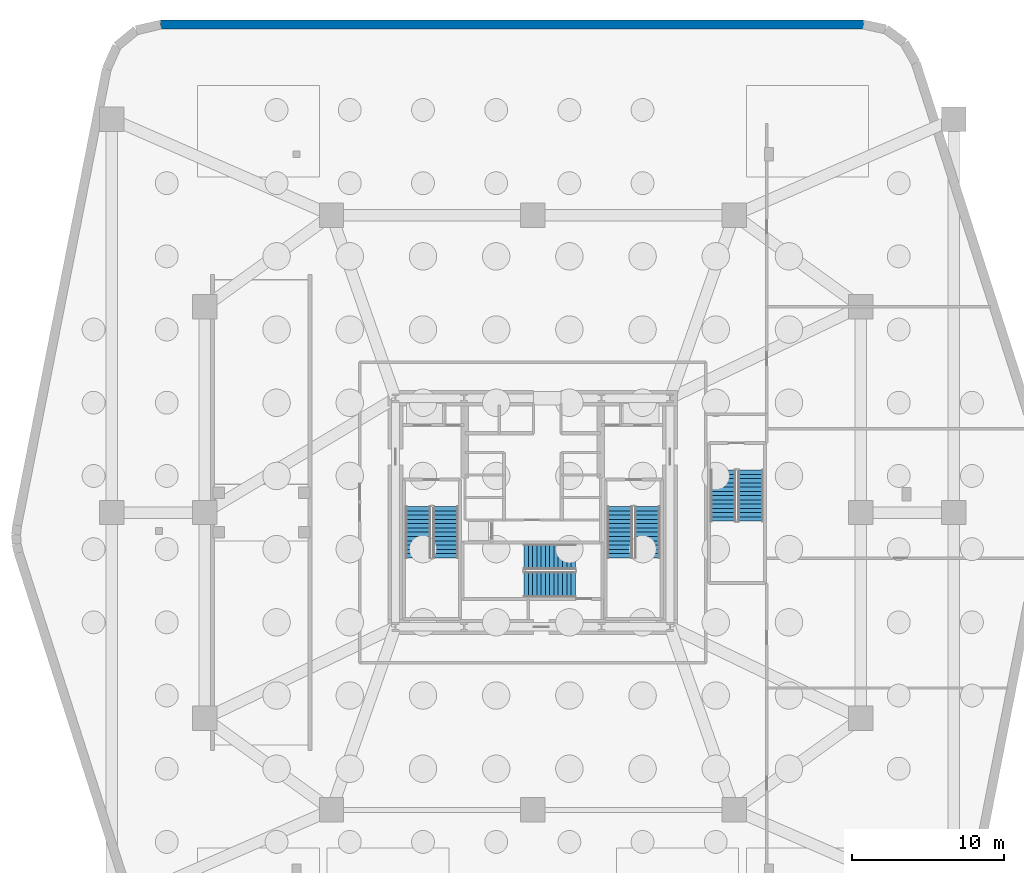
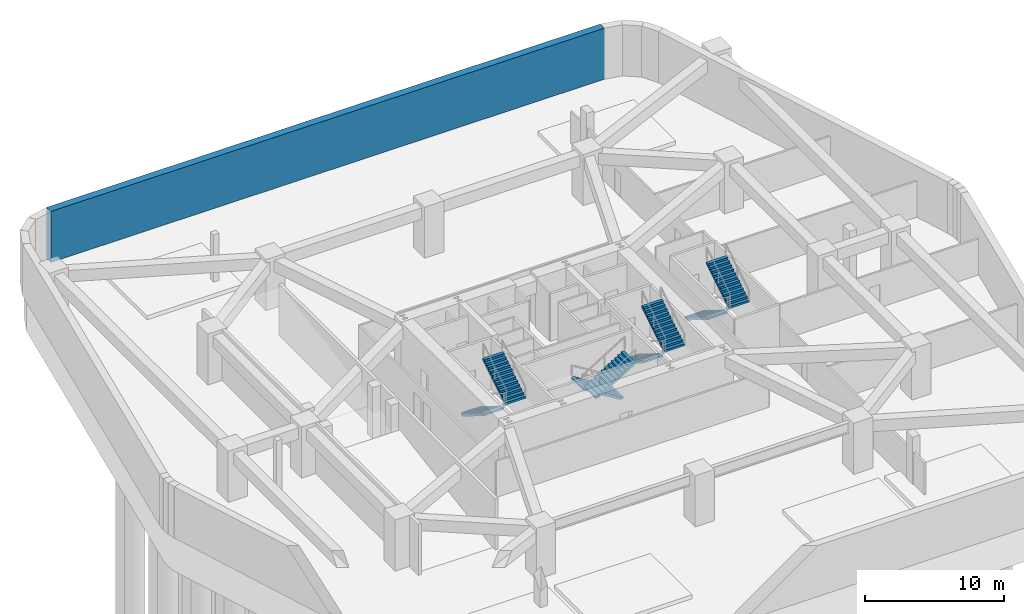
# One storey, part 6 of 8: 8 stair flights, 1 wall, 4 elements without a shape of their own.
"""IFC4 building model written with IfcOpenShell, lengths in metres."""

from ifc_helpers import new_model, si_unit, direction, frame, frame_2d, origin, place, context, subcontext, project, spatial, polyline, rectangle, outline, extrude, material, layer, layer_set, type_object, element, aggregate, save


model = new_model("IFC4")

# Units and contexts
model_context = context("Model", 3, precision=1e-05, world=origin(), true_north=direction((0.0, 1.0)))
body_context = subcontext(model_context, "Body", "Model", "MODEL_VIEW")
ifc_project = project(units=[si_unit("LENGTHUNIT", "METRE"), si_unit("AREAUNIT", "SQUARE_METRE"), si_unit("VOLUMEUNIT", "CUBIC_METRE"), si_unit("PLANEANGLEUNIT", "RADIAN"), si_unit("MASSUNIT", "GRAM", prefix="KILO")], contexts=[model_context])

# Site, building, storey
site_placement = place(None, origin())
site = spatial("IfcSite", under=ifc_project, at=site_placement, CompositionType="ELEMENT")
building_placement = place(site_placement, origin())
building = spatial("IfcBuilding", under=site, at=building_placement, Name="Kilnhurst Terrace Hotel", CompositionType="ELEMENT")
storey_placement = place(building_placement, frame((0.0, 0.0, -9.0)))
storey = spatial("IfcBuildingStorey", under=building, at=storey_placement, Name="B2", CompositionType="ELEMENT", Elevation=-9.0)

# Wall
ifc_material_1 = material(Name="Concrete C50/60", Category="concrete")
ifc_layer = layer(ifc_material_1, 0.60009765625, Name="Concrete C50/60")
ifc_layer_set = layer_set([ifc_layer], Name="Concrete C50/60")
wall_type = type_object("IfcWallType", Name="WL-RET-600", PredefinedType="SHEAR", material=ifc_layer_set)
wall_placement = place(storey_placement, frame((21.683349609375, 32.0, 0.0), z_axis=(0.0, 0.0, 1.0), x_axis=(-1.0, 0.0, 0.0)))
element("IfcWall", 1, at=wall_placement, inside=storey, type_object=wall_type, Name="B2 Perimeter Shear Retaining Wall 16", PredefinedType="SHEAR", context=body_context, shape_type="SweptSolid", body=[
    extrude(rectangle(XDim=46.091552734375, YDim=0.60009765625, at=frame_2d((23.0458984375, 0.0))), origin(), (0.0, 0.0, 1.0), 4.5),
])

# Stair, stair flights
stair_type_1 = type_object("IfcStairType", Name="STR-CORE-1660", PredefinedType="HALF_TURN_STAIR", material=ifc_material_1)
stair_1_placement = place(storey_placement, origin())
stair_1 = element("IfcStair", 2, at=stair_1_placement, inside=storey, type_object=stair_type_1, Name="B2 ST-1", PredefinedType="HALF_TURN_STAIR")
stair_flight_type = type_object("IfcStairFlightType", Name="FLT-RC-1660", PredefinedType="STRAIGHT", material=ifc_material_1)
stair_flight_1_placement = place(storey_placement, frame((-7.52001953125, 0.389892578125, 0.0), z_axis=(0.0, 0.0, 1.0), x_axis=(0.0, -1.0, 0.0)))
stair_flight_1 = element("IfcStairFlight", 3, at=stair_flight_1_placement, type_object=stair_flight_type, Name="ST-1 flight 1", NumberOfRisers=13, NumberOfTreads=12, PredefinedType="STRAIGHT", RiserHeight=0.173076923, TreadLength=0.28, context=body_context, shape_type="SweptSolid", body=[
    extrude(outline(polyline([(0.0, 0.0), (0.0, 0.173095703125), (0.280029296875, 0.173095703125), (0.280029296875, 0.34619140625), (0.56005859375, 0.34619140625), (0.56005859375, 0.519287109375), (0.840087890625, 0.519287109375), (0.840087890625, 0.6923828125), (1.1201171875, 0.6923828125), (1.1201171875, 0.865478515625), (1.39990234375, 0.865478515625), (1.39990234375, 1.03857421875), (1.679931640625, 1.03857421875), (1.679931640625, 1.21142578125), (1.9599609375, 1.21142578125), (1.9599609375, 1.384521484375), (2.239990234375, 1.384521484375), (2.239990234375, 1.5576171875), (2.52001953125, 1.5576171875), (2.52001953125, 1.730712890625), (2.800048828125, 1.730712890625), (2.800048828125, 1.90380859375), (3.080078125, 1.90380859375), (3.080078125, 2.076904296875), (3.360107421875, 2.076904296875), (3.360107421875, 2.25), (3.360107421875, 1.900634765625), (0.28515625, 0.0), (0.0, 0.0)])), frame((0.0, 0.830078125, 0.0), z_axis=(0.0, -1.0, 0.0), x_axis=(1.0, 0.0, 0.0)), (0.0, 0.0, 1.0), 1.659912109375),
])
stair_flight_2_placement = place(storey_placement, frame((-5.7099609375, -2.969970703125, 2.25), z_axis=(0.0, 0.0, 1.0), x_axis=(0.0, 1.0, 0.0)))
stair_flight_2 = element("IfcStairFlight", 4, at=stair_flight_2_placement, type_object=stair_flight_type, Name="ST-1 flight 2", NumberOfRisers=13, NumberOfTreads=12, PredefinedType="STRAIGHT", RiserHeight=0.173076923, TreadLength=0.28, context=body_context, shape_type="SweptSolid", body=[
    extrude(outline(polyline([(0.0, 0.0), (0.0, 0.173095703125), (0.280029296875, 0.173095703125), (0.280029296875, 0.34619140625), (0.56005859375, 0.34619140625), (0.56005859375, 0.519287109375), (0.840087890625, 0.519287109375), (0.840087890625, 0.6923828125), (1.1201171875, 0.6923828125), (1.1201171875, 0.865478515625), (1.39990234375, 0.865478515625), (1.39990234375, 1.03857421875), (1.679931640625, 1.03857421875), (1.679931640625, 1.21142578125), (1.9599609375, 1.21142578125), (1.9599609375, 1.384521484375), (2.239990234375, 1.384521484375), (2.239990234375, 1.5576171875), (2.52001953125, 1.5576171875), (2.52001953125, 1.730712890625), (2.800048828125, 1.730712890625), (2.800048828125, 1.90380859375), (3.080078125, 1.90380859375), (3.080078125, 2.076904296875), (3.360107421875, 2.076904296875), (3.360107421875, 2.25), (3.360107421875, 1.900634765625), (0.28515625, 0.0), (0.0, 0.0)])), frame((0.0, 0.830078125, 0.0), z_axis=(0.0, -1.0, 0.0), x_axis=(1.0, 0.0, 0.0)), (0.0, 0.0, 1.0), 1.659912109375),
])
aggregate(stair_1, [stair_flight_1, stair_flight_2])

stair_2_placement = place(storey_placement, origin())
stair_2 = element("IfcStair", 5, at=stair_2_placement, inside=storey, type_object=stair_type_1, Name="B2 ST-2", PredefinedType="HALF_TURN_STAIR")
stair_flight_3_placement = place(storey_placement, frame((5.7099609375, 0.389892578125, 0.0), z_axis=(0.0, 0.0, 1.0), x_axis=(0.0, -1.0, 0.0)))
stair_flight_3 = element("IfcStairFlight", 6, at=stair_flight_3_placement, type_object=stair_flight_type, Name="ST-2 flight 1", NumberOfRisers=13, NumberOfTreads=12, PredefinedType="STRAIGHT", RiserHeight=0.173076923, TreadLength=0.28, context=body_context, shape_type="SweptSolid", body=[
    extrude(outline(polyline([(0.0, 0.0), (0.0, 0.173095703125), (0.280029296875, 0.173095703125), (0.280029296875, 0.34619140625), (0.56005859375, 0.34619140625), (0.56005859375, 0.519287109375), (0.840087890625, 0.519287109375), (0.840087890625, 0.6923828125), (1.1201171875, 0.6923828125), (1.1201171875, 0.865478515625), (1.39990234375, 0.865478515625), (1.39990234375, 1.03857421875), (1.679931640625, 1.03857421875), (1.679931640625, 1.21142578125), (1.9599609375, 1.21142578125), (1.9599609375, 1.384521484375), (2.239990234375, 1.384521484375), (2.239990234375, 1.5576171875), (2.52001953125, 1.5576171875), (2.52001953125, 1.730712890625), (2.800048828125, 1.730712890625), (2.800048828125, 1.90380859375), (3.080078125, 1.90380859375), (3.080078125, 2.076904296875), (3.360107421875, 2.076904296875), (3.360107421875, 2.25), (3.360107421875, 1.900634765625), (0.28515625, 0.0), (0.0, 0.0)])), frame((0.0, 0.830078125, 0.0), z_axis=(0.0, -1.0, 0.0), x_axis=(1.0, 0.0, 0.0)), (0.0, 0.0, 1.0), 1.659912109375),
])
stair_flight_4_placement = place(storey_placement, frame((7.52001953125, -2.969970703125, 2.25), z_axis=(0.0, 0.0, 1.0), x_axis=(0.0, 1.0, 0.0)))
stair_flight_4 = element("IfcStairFlight", 7, at=stair_flight_4_placement, type_object=stair_flight_type, Name="ST-2 flight 2", NumberOfRisers=13, NumberOfTreads=12, PredefinedType="STRAIGHT", RiserHeight=0.173076923, TreadLength=0.28, context=body_context, shape_type="SweptSolid", body=[
    extrude(outline(polyline([(0.0, 0.0), (0.0, 0.173095703125), (0.280029296875, 0.173095703125), (0.280029296875, 0.34619140625), (0.56005859375, 0.34619140625), (0.56005859375, 0.519287109375), (0.840087890625, 0.519287109375), (0.840087890625, 0.6923828125), (1.1201171875, 0.6923828125), (1.1201171875, 0.865478515625), (1.39990234375, 0.865478515625), (1.39990234375, 1.03857421875), (1.679931640625, 1.03857421875), (1.679931640625, 1.21142578125), (1.9599609375, 1.21142578125), (1.9599609375, 1.384521484375), (2.239990234375, 1.384521484375), (2.239990234375, 1.5576171875), (2.52001953125, 1.5576171875), (2.52001953125, 1.730712890625), (2.800048828125, 1.730712890625), (2.800048828125, 1.90380859375), (3.080078125, 1.90380859375), (3.080078125, 2.076904296875), (3.360107421875, 2.076904296875), (3.360107421875, 2.25), (3.360107421875, 1.900634765625), (0.28515625, 0.0), (0.0, 0.0)])), frame((0.0, 0.830078125, 0.0), z_axis=(0.0, -1.0, 0.0), x_axis=(1.0, 0.0, 0.0)), (0.0, 0.0, 1.0), 1.659912109375),
])
aggregate(stair_2, [stair_flight_3, stair_flight_4])

stair_3_placement = place(storey_placement, origin())
stair_3 = element("IfcStair", 8, at=stair_3_placement, inside=storey, type_object=stair_type_1, Name="B2 ST-3", PredefinedType="HALF_TURN_STAIR")
stair_flight_5_placement = place(storey_placement, frame((2.7900390625, -2.909912109375, 0.0), z_axis=(0.0, 0.0, 1.0), x_axis=(-1.0, 0.0, 0.0)))
stair_flight_5 = element("IfcStairFlight", 9, at=stair_flight_5_placement, type_object=stair_flight_type, Name="ST-3 flight 1", NumberOfRisers=13, NumberOfTreads=12, PredefinedType="STRAIGHT", RiserHeight=0.173076923, TreadLength=0.28, context=body_context, shape_type="SweptSolid", body=[
    extrude(outline(polyline([(0.0, 0.0), (0.0, 0.173095703125), (0.280029296875, 0.173095703125), (0.280029296875, 0.34619140625), (0.56005859375, 0.34619140625), (0.56005859375, 0.519287109375), (0.840087890625, 0.519287109375), (0.840087890625, 0.6923828125), (1.1201171875, 0.6923828125), (1.1201171875, 0.865478515625), (1.39990234375, 0.865478515625), (1.39990234375, 1.03857421875), (1.679931640625, 1.03857421875), (1.679931640625, 1.21142578125), (1.9599609375, 1.21142578125), (1.9599609375, 1.384521484375), (2.239990234375, 1.384521484375), (2.239990234375, 1.5576171875), (2.52001953125, 1.5576171875), (2.52001953125, 1.730712890625), (2.800048828125, 1.730712890625), (2.800048828125, 1.90380859375), (3.080078125, 1.90380859375), (3.080078125, 2.076904296875), (3.360107421875, 2.076904296875), (3.360107421875, 2.25), (3.360107421875, 1.900634765625), (0.28515625, 0.0), (0.0, 0.0)])), frame((0.0, 0.830078125, 0.0), z_axis=(0.0, -1.0, 0.0), x_axis=(1.0, 0.0, 0.0)), (0.0, 0.0, 1.0), 1.659912109375),
])
stair_flight_6_placement = place(storey_placement, frame((-0.570068359375, -4.719970703125, 2.25), z_axis=(0.0, 0.0, 1.0), x_axis=(1.0, 0.0, 0.0)))
stair_flight_6 = element("IfcStairFlight", 10, at=stair_flight_6_placement, type_object=stair_flight_type, Name="ST-3 flight 2", NumberOfRisers=13, NumberOfTreads=12, PredefinedType="STRAIGHT", RiserHeight=0.173076923, TreadLength=0.28, context=body_context, shape_type="SweptSolid", body=[
    extrude(outline(polyline([(0.0, 0.0), (0.0, 0.173095703125), (0.280029296875, 0.173095703125), (0.280029296875, 0.34619140625), (0.56005859375, 0.34619140625), (0.56005859375, 0.519287109375), (0.840087890625, 0.519287109375), (0.840087890625, 0.6923828125), (1.1201171875, 0.6923828125), (1.1201171875, 0.865478515625), (1.39990234375, 0.865478515625), (1.39990234375, 1.03857421875), (1.679931640625, 1.03857421875), (1.679931640625, 1.21142578125), (1.9599609375, 1.21142578125), (1.9599609375, 1.384521484375), (2.239990234375, 1.384521484375), (2.239990234375, 1.5576171875), (2.52001953125, 1.5576171875), (2.52001953125, 1.730712890625), (2.800048828125, 1.730712890625), (2.800048828125, 1.90380859375), (3.080078125, 1.90380859375), (3.080078125, 2.076904296875), (3.360107421875, 2.076904296875), (3.360107421875, 2.25), (3.360107421875, 1.900634765625), (0.28515625, 0.0), (0.0, 0.0)])), frame((0.0, 0.830078125, 0.0), z_axis=(0.0, -1.0, 0.0), x_axis=(1.0, 0.0, 0.0)), (0.0, 0.0, 1.0), 1.659912109375),
])
aggregate(stair_3, [stair_flight_5, stair_flight_6])

ifc_material_2 = material(Name="Concrete C40/50", Category="concrete")
stair_type_2 = type_object("IfcStairType", Name="STR-POD-1660", PredefinedType="HALF_TURN_STAIR", material=ifc_material_2)
stair_4_placement = place(storey_placement, origin())
stair_4 = element("IfcStair", 11, at=stair_4_placement, inside=storey, type_object=stair_type_2, Name="B2 ST-4", PredefinedType="HALF_TURN_STAIR")
stair_flight_7_placement = place(storey_placement, frame((12.47998046875, 2.7900390625, 0.0), z_axis=(0.0, 0.0, 1.0), x_axis=(0.0, -1.0, 0.0)))
stair_flight_7 = element("IfcStairFlight", 12, at=stair_flight_7_placement, type_object=stair_flight_type, Name="ST-4 flight 1", NumberOfRisers=13, NumberOfTreads=12, PredefinedType="STRAIGHT", RiserHeight=0.173076923, TreadLength=0.28, context=body_context, shape_type="SweptSolid", body=[
    extrude(outline(polyline([(0.0, 0.0), (0.0, 0.173095703125), (0.280029296875, 0.173095703125), (0.280029296875, 0.34619140625), (0.56005859375, 0.34619140625), (0.56005859375, 0.519287109375), (0.840087890625, 0.519287109375), (0.840087890625, 0.6923828125), (1.1201171875, 0.6923828125), (1.1201171875, 0.865478515625), (1.39990234375, 0.865478515625), (1.39990234375, 1.03857421875), (1.679931640625, 1.03857421875), (1.679931640625, 1.21142578125), (1.9599609375, 1.21142578125), (1.9599609375, 1.384521484375), (2.239990234375, 1.384521484375), (2.239990234375, 1.5576171875), (2.52001953125, 1.5576171875), (2.52001953125, 1.730712890625), (2.800048828125, 1.730712890625), (2.800048828125, 1.90380859375), (3.080078125, 1.90380859375), (3.080078125, 2.076904296875), (3.360107421875, 2.076904296875), (3.360107421875, 2.25), (3.360107421875, 1.900634765625), (0.28515625, 0.0), (0.0, 0.0)])), frame((0.0, 0.830078125, 0.0), z_axis=(0.0, -1.0, 0.0), x_axis=(1.0, 0.0, 0.0)), (0.0, 0.0, 1.0), 1.659912109375),
])
stair_flight_8_placement = place(storey_placement, frame((14.2900390625, -0.570068359375, 2.25), z_axis=(0.0, 0.0, 1.0), x_axis=(0.0, 1.0, 0.0)))
stair_flight_8 = element("IfcStairFlight", 13, at=stair_flight_8_placement, type_object=stair_flight_type, Name="ST-4 flight 2", NumberOfRisers=13, NumberOfTreads=12, PredefinedType="STRAIGHT", RiserHeight=0.173076923, TreadLength=0.28, context=body_context, shape_type="SweptSolid", body=[
    extrude(outline(polyline([(0.0, 0.0), (0.0, 0.173095703125), (0.280029296875, 0.173095703125), (0.280029296875, 0.34619140625), (0.56005859375, 0.34619140625), (0.56005859375, 0.519287109375), (0.840087890625, 0.519287109375), (0.840087890625, 0.6923828125), (1.1201171875, 0.6923828125), (1.1201171875, 0.865478515625), (1.39990234375, 0.865478515625), (1.39990234375, 1.03857421875), (1.679931640625, 1.03857421875), (1.679931640625, 1.21142578125), (1.9599609375, 1.21142578125), (1.9599609375, 1.384521484375), (2.239990234375, 1.384521484375), (2.239990234375, 1.5576171875), (2.52001953125, 1.5576171875), (2.52001953125, 1.730712890625), (2.800048828125, 1.730712890625), (2.800048828125, 1.90380859375), (3.080078125, 1.90380859375), (3.080078125, 2.076904296875), (3.360107421875, 2.076904296875), (3.360107421875, 2.25), (3.360107421875, 1.900634765625), (0.28515625, 0.0), (0.0, 0.0)])), frame((0.0, 0.830078125, 0.0), z_axis=(0.0, -1.0, 0.0), x_axis=(1.0, 0.0, 0.0)), (0.0, 0.0, 1.0), 1.659912109375),
])
aggregate(stair_4, [stair_flight_7, stair_flight_8])

save(model, "model.ifc")
